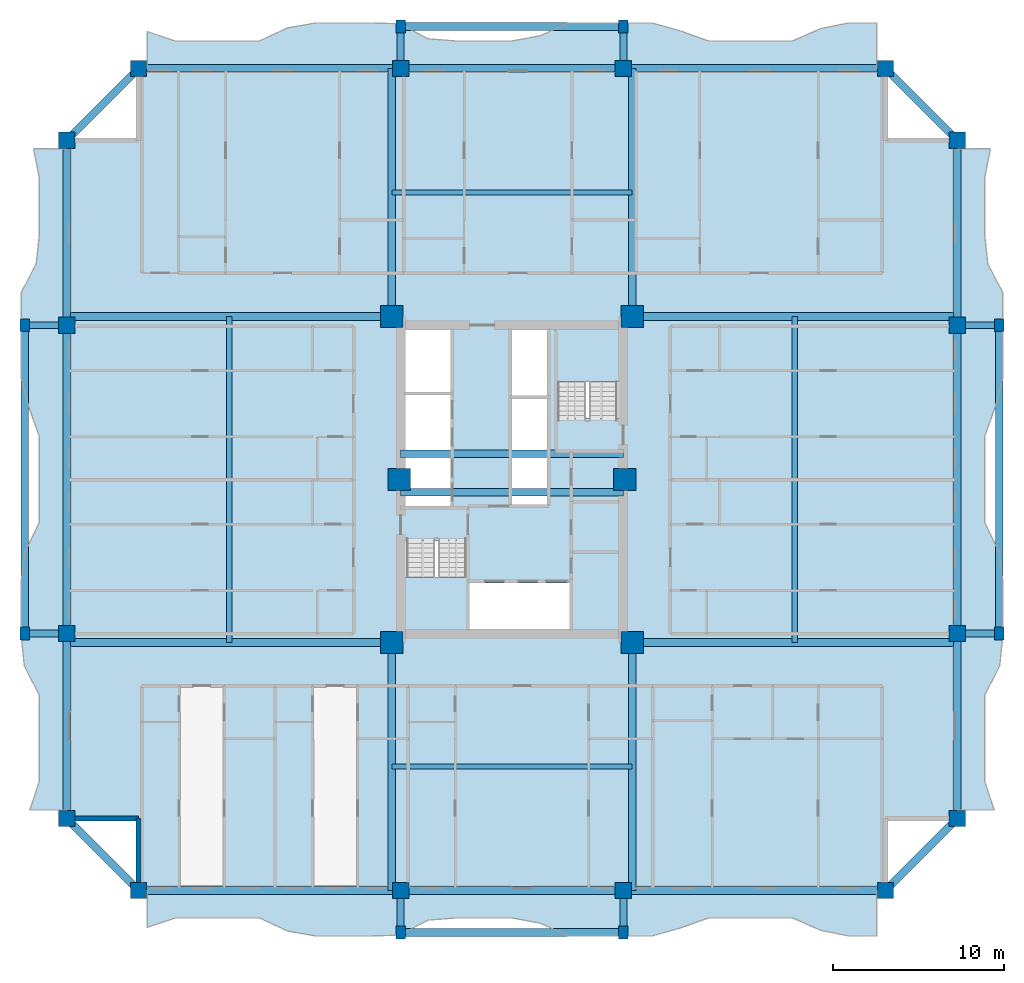
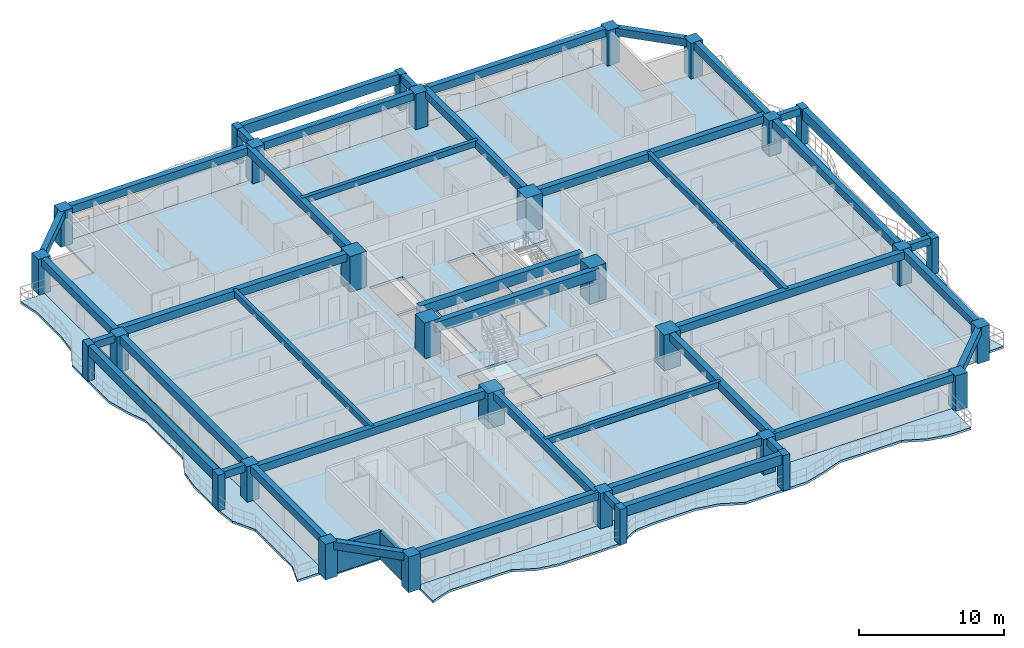
# One storey, part 1 of 15: 42 beams, 30 columns, 7 slabs, 2 walls, 2 elements without a shape of their own.
"""IFC4 building model written with IfcOpenShell, lengths in metres."""

import ifcopenshell
import ifcopenshell.guid

model = None  # the IFC model being written
_history = None  # IfcOwnerHistory: only IFC2X3 demands one
_inside = {}  # id of a spatial element -> (the spatial element, [elements in it])
_under = {}  # id of a project, library or spatial element -> (it, [spatial elements below it])
_declared = {}  # id of a project -> (the project, [libraries it declares])
_typed = {}  # id of a type object -> (the type object, [elements of that type])
_made_of = {}  # id of a material, layer set ... -> (it, [elements and type objects made of it])


def new_model(schema):
    """Start an empty IFC model of exactly this schema.

    Asked for "IFC4X3", IfcOpenShell would pick the latest addendum, in which some entities
    have other attributes; the version numbers below select the first issue.
    IFC2X3 requires an IfcOwnerHistory on every rooted entity: one is made here for all.
    """
    global model, _history
    if schema == "IFC4X3":
        model = ifcopenshell.file(schema_version=(4, 3, 0, 0))
    else:
        model = ifcopenshell.file(schema=schema)
    _inside.clear()
    _under.clear()
    _declared.clear()
    _typed.clear()
    _made_of.clear()
    _history = None
    if model.schema == "IFC2X3":
        org = make("IfcOrganization", Name="unknown")
        user = make(
            "IfcPersonAndOrganization",
            ThePerson=make("IfcPerson", FamilyName="unknown"),
            TheOrganization=org,
        )
        app = make(
            "IfcApplication",
            ApplicationDeveloper=org,
            Version="unknown",
            ApplicationFullName="unknown",
            ApplicationIdentifier="unknown",
        )
        _history = make(
            "IfcOwnerHistory",
            OwningUser=user,
            OwningApplication=app,
            ChangeAction="ADDED",
            CreationDate=0,
        )
    return model


def make(cls, **values):
    """One entity of the class cls with the attributes given. An attribute that is None is left unset."""
    return model.create_entity(
        cls, **{name: value for name, value in values.items() if value is not None}
    )


def rooted(cls, **values):
    """An entity with a GlobalId (a new one), such as an element, a storey or a relation."""
    return make(cls, GlobalId=ifcopenshell.guid.new(), OwnerHistory=_history, **values)


def si_unit(unit_type, name, prefix=None):
    """IfcSIUnit, for example si_unit("LENGTHUNIT", "METRE", prefix="MILLI")."""
    return make("IfcSIUnit", UnitType=unit_type, Prefix=prefix, Name=name)


def assignment(units):
    """IfcUnitAssignment: the units of a project."""
    return None if units is None else make("IfcUnitAssignment", Units=units)


def point(xyz):
    """IfcCartesianPoint."""
    return None if xyz is None else make("IfcCartesianPoint", Coordinates=xyz)


def direction(xyz):
    """IfcDirection."""
    return None if xyz is None else make("IfcDirection", DirectionRatios=xyz)


def frame(location, z_axis=None, x_axis=None):
    """IfcAxis2Placement3D, a coordinate frame: its origin and axes. An axis left out is left unset."""
    return make(
        "IfcAxis2Placement3D",
        Location=point(location),
        Axis=direction(z_axis),
        RefDirection=direction(x_axis),
    )


def frame_2d(location, x_axis=None):
    """IfcAxis2Placement2D, a coordinate frame in the plane: its origin and x axis."""
    return make(
        "IfcAxis2Placement2D", Location=point(location), RefDirection=direction(x_axis)
    )


def origin():
    """The frame at (0, 0, 0) with its axes left unset."""
    return frame((0.0, 0.0, 0.0))


def origin_2d():
    """The frame at (0, 0) in the plane with its x axis left unset."""
    return frame_2d((0.0, 0.0))


def place(relative_to, where):
    """IfcLocalPlacement: puts the frame where relative to a parent placement (None: the world)."""
    return make(
        "IfcLocalPlacement", PlacementRelTo=relative_to, RelativePlacement=where
    )


def context(
    kind, dimensions, precision=None, world=None, true_north=None, identifier=None
):
    """IfcGeometricRepresentationContext, for example the 3D "Model" context."""
    return make(
        "IfcGeometricRepresentationContext",
        ContextIdentifier=identifier,
        ContextType=kind,
        CoordinateSpaceDimension=dimensions,
        Precision=precision,
        WorldCoordinateSystem=world,
        TrueNorth=true_north,
    )


def subcontext(parent, identifier, kind, view, scale=None):
    """IfcGeometricRepresentationSubContext, for example "Body" below "Model"."""
    return make(
        "IfcGeometricRepresentationSubContext",
        ContextIdentifier=identifier,
        ContextType=kind,
        ParentContext=parent,
        TargetScale=scale,
        TargetView=view,
    )


def project(units=None, contexts=None):
    """IfcProject with its units and contexts."""
    return rooted(
        "IfcProject",
        Name="project",
        RepresentationContexts=contexts,
        UnitsInContext=assignment(units),
    )


def spatial(cls, under=None, at=None, **own):
    """A site, building, storey or space (cls), placed at a placement, below another one or the project."""
    s = rooted(cls, ObjectPlacement=at, **own)
    if under is not None:
        _under.setdefault(under.id(), (under, []))[1].append(s)
    return s


def polyline(points):
    """IfcPolyline through the points."""
    return make("IfcPolyline", Points=[point(p) for p in points])


def profile(cls, at=None, kind="AREA", **sizes):
    """A parametric profile (cls). Its sizes go by their IFC names, for example OverallWidth=200.0."""
    return make(cls, ProfileType=kind, Position=at, **sizes)


def rectangle(**sizes):
    """IfcRectangleProfileDef."""
    return profile("IfcRectangleProfileDef", **sizes)


def outline(outer, holes=None, kind="AREA"):
    """IfcArbitraryClosedProfileDef: a profile drawn as a closed curve; with holes, ...WithVoids."""
    if holes is None:
        return make("IfcArbitraryClosedProfileDef", ProfileType=kind, OuterCurve=outer)
    return make(
        "IfcArbitraryProfileDefWithVoids",
        ProfileType=kind,
        OuterCurve=outer,
        InnerCurves=holes,
    )


def extrude(swept, where, along, depth):
    """IfcExtrudedAreaSolid: the profile swept, set in the frame where, extruded along a direction by depth."""
    return make(
        "IfcExtrudedAreaSolid",
        SweptArea=swept,
        Position=where,
        ExtrudedDirection=direction(along),
        Depth=depth,
    )


def shape(context_of_items, identifier, shape_type, items):
    """IfcShapeRepresentation: the items that make up one representation, for example the "Body"."""
    return make(
        "IfcShapeRepresentation",
        ContextOfItems=context_of_items,
        RepresentationIdentifier=identifier,
        RepresentationType=shape_type,
        Items=items,
    )


def source(mapping_origin, context_of_items, identifier, shape_type, items):
    """IfcRepresentationMap: a shape defined once, which mapped items show again and again."""
    return make(
        "IfcRepresentationMap",
        MappingOrigin=mapping_origin,
        MappedRepresentation=shape(context_of_items, identifier, shape_type, items),
    )


def transform(
    local_origin,
    x_axis=None,
    y_axis=None,
    z_axis=None,
    scale=None,
    scale2=None,
    scale3=None,
    uniform=True,
):
    """IfcCartesianTransformationOperator3D, or its non-uniform kind. x_axis, y_axis, z_axis: its Axis1, 2, 3."""
    if uniform:
        return make(
            "IfcCartesianTransformationOperator3D",
            Axis1=direction(x_axis),
            Axis2=direction(y_axis),
            LocalOrigin=point(local_origin),
            Scale=scale,
            Axis3=direction(z_axis),
        )
    return make(
        "IfcCartesianTransformationOperator3DnonUniform",
        Axis1=direction(x_axis),
        Axis2=direction(y_axis),
        LocalOrigin=point(local_origin),
        Scale=scale,
        Axis3=direction(z_axis),
        Scale2=scale2,
        Scale3=scale3,
    )


def mapped(mapping_source, mapping_target):
    """IfcMappedItem: shows the shape of a source again, moved by a transform."""
    return make(
        "IfcMappedItem", MappingSource=mapping_source, MappingTarget=mapping_target
    )


def material(Name=None, Category=None):
    """IfcMaterial."""
    return make("IfcMaterial", Name=Name, Category=Category)


def layer(
    of_material, thickness, ventilated=None, Name=None, Category=None, Priority=None
):
    """IfcMaterialLayer: one layer of a wall or slab, of a material (None: an air gap)."""
    return make(
        "IfcMaterialLayer",
        Material=of_material,
        LayerThickness=thickness,
        IsVentilated=ventilated,
        Name=Name,
        Category=Category,
        Priority=Priority,
    )


def layer_set(layers, Name=None):
    """IfcMaterialLayerSet."""
    return make("IfcMaterialLayerSet", MaterialLayers=layers, LayerSetName=Name)


def material_profile(
    of_material, cross_section, Name=None, Category=None, Priority=None
):
    """IfcMaterialProfile: a cross section and its material."""
    return make(
        "IfcMaterialProfile",
        Name=Name,
        Material=of_material,
        Profile=cross_section,
        Priority=Priority,
        Category=Category,
    )


def profile_set(profiles, Name=None, composite=None):
    """IfcMaterialProfileSet."""
    return make(
        "IfcMaterialProfileSet",
        Name=Name,
        MaterialProfiles=profiles,
        CompositeProfile=composite,
    )


def made_of(thing, what):
    """Note that an element or type object is made of a material, layer set ...; save() writes the relation."""
    if what is not None:
        _made_of.setdefault(what.id(), (what, []))[1].append(thing)
    return thing


def type_object(cls, material=None, **own):
    """A type object (cls), such as IfcWallType, which elements share."""
    return made_of(rooted(cls, **own), material)


def element(
    cls,
    number,
    at=None,
    inside=None,
    cuts=None,
    type_object=None,
    material=None,
    context=None,
    identifier="Body",
    shape_type=None,
    held_by="IfcProductDefinitionShape",
    body=None,
    shapes=None,
    **own,
):
    """One element of the class cls, such as IfcWall. Its Tag is "e" and its number.

    at: its placement. inside: the storey or other place that contains it. cuts: it is an
    opening in that element (IfcRelVoidsElement). A single representation is given by context,
    identifier, shape_type and body (its items); several are given by shapes. held_by: the class
    of the entity that holds the representations. save() writes the other relations.
    """
    e = rooted(cls, Tag="e%d" % number, ObjectPlacement=at, **own)
    if body is not None:
        shapes = [shape(context, identifier, shape_type, body)]
    if shapes is not None:
        e.Representation = make(held_by, Representations=shapes)
    if inside is not None:
        _inside.setdefault(inside.id(), (inside, []))[1].append(e)
    if cuts is not None:
        rooted(
            "IfcRelVoidsElement", RelatingBuildingElement=cuts, RelatedOpeningElement=e
        )
    if type_object is not None:
        _typed.setdefault(type_object.id(), (type_object, []))[1].append(e)
    return made_of(e, material)


def aggregate(whole, parts):
    """IfcRelAggregates: a whole, such as a stair, and the parts it consists of."""
    return rooted("IfcRelAggregates", RelatingObject=whole, RelatedObjects=parts)


def save(model, path):
    """Write the relations noted so far, then the file.

    IfcRelAggregates (storeys below a building ...), IfcRelContainedInSpatialStructure (elements
    in a storey), IfcRelDefinesByType, IfcRelAssociatesMaterial and IfcRelDeclares: one each for
    every whole, place, type object, material and project.
    """
    for whole, parts in _under.values():
        aggregate(whole, parts)
    for where, things in _inside.values():
        rooted(
            "IfcRelContainedInSpatialStructure",
            RelatedElements=things,
            RelatingStructure=where,
        )
    for kind, things in _typed.values():
        rooted("IfcRelDefinesByType", RelatedObjects=things, RelatingType=kind)
    for what, things in _made_of.values():
        rooted("IfcRelAssociatesMaterial", RelatedObjects=things, RelatingMaterial=what)
    for by, libraries in _declared.values():
        rooted("IfcRelDeclares", RelatingContext=by, RelatedDefinitions=libraries)
    model.write(path)


model = new_model("IFC4")

# Units and contexts
model_context = context("Model", 3, precision=1e-05, world=origin(), true_north=direction((0.0, 1.0)))
body_context = subcontext(model_context, "Body", "Model", "MODEL_VIEW")
ifc_project = project(units=[si_unit("LENGTHUNIT", "METRE"), si_unit("AREAUNIT", "SQUARE_METRE"), si_unit("VOLUMEUNIT", "CUBIC_METRE"), si_unit("PLANEANGLEUNIT", "RADIAN"), si_unit("MASSUNIT", "GRAM", prefix="KILO")], contexts=[model_context])

# Site, building, storey
site_placement = place(None, origin())
site = spatial("IfcSite", under=ifc_project, at=site_placement, CompositionType="ELEMENT")
building_placement = place(site_placement, origin())
building = spatial("IfcBuilding", under=site, at=building_placement, Name="Saelheon Loggia Tower", CompositionType="ELEMENT")
storey_placement = place(building_placement, frame((0.0, 0.0, 77.85009765625)))
storey = spatial("IfcBuildingStorey", under=building, at=storey_placement, Name="L24", CompositionType="ELEMENT", Elevation=77.85009765625)

# Columns
ifc_material_1 = material(Name="Precast Concrete C45/55", Category="concrete")
ifc_material_profile_1 = material_profile(ifc_material_1, rectangle(XDim=0.550048828125, YDim=0.75, at=origin_2d()), Name="RC-550x750")
ifc_profile_set_1 = profile_set([ifc_material_profile_1], Name="Precast Concrete C45/55")
column_type_1 = type_object("IfcColumnType", Name="Col_Loggia_Pilaster_750", PredefinedType="PILASTER", material=ifc_profile_set_1)
shared_shape_1 = source(origin(), body_context, "Body", "SweptSolid", [
    extrude(rectangle(XDim=0.550048828125, YDim=0.75, at=origin_2d()), origin(), (0.0, 0.0, 1.0), 3.0),
])
for number, where, z_axis, x_axis, name in (
    (1, (31.5, 0.550048828125, 0.0), (0.0, 0.0, 1.0), (1.0, 0.0, 0.0), "L24 Loggia Frame Pilaster LP-S1"),
    (2, (44.5, 0.550048828125, 0.0), (0.0, 0.0, 1.0), (1.0, 0.0, 0.0), "L24 Loggia Frame Pilaster LP-S2"),
    (3, (31.5, 53.449951171875, 0.0), (0.0, 0.0, 1.0), (1.0, 0.0, 0.0), "L24 Loggia Frame Pilaster LP-N1"),
    (4, (44.5, 53.449951171875, 0.0), (0.0, 0.0, 1.0), (1.0, 0.0, 0.0), "L24 Loggia Frame Pilaster LP-N2"),
    (5, (66.449951171875, 18.0, 0.0), (0.0, 0.0, 1.0), (1.0, 0.0, 0.0), "L24 Loggia Frame Pilaster LP-E1"),
    (6, (66.449951171875, 36.0, 0.0), (0.0, 0.0, 1.0), (1.0, 0.0, 0.0), "L24 Loggia Frame Pilaster LP-E2"),
    (7, (9.550048828125, 18.0, 0.0), (0.0, 0.0, 1.0), (1.0, 0.0, 0.0), "L24 Loggia Frame Pilaster LP-W1"),
    (8, (9.550048828125, 36.0, 0.0), (0.0, 0.0, 1.0), (1.0, 0.0, 0.0), "L24 Loggia Frame Pilaster LP-W2"),
):
    element("IfcColumn", number, at=place(storey_placement, frame(where, z_axis=z_axis, x_axis=x_axis)), inside=storey, type_object=column_type_1, Name=name, PredefinedType="PILASTER", context=body_context, shape_type="MappedRepresentation", body=[
        mapped(shared_shape_1, transform((0.0, 0.0, 0.0), scale=1.0)),
    ])
ifc_material_2 = material(Name="Concrete C60/75", Category="concrete")
ifc_material_profile_2 = material_profile(ifc_material_2, rectangle(XDim=1.300048828125, YDim=1.300048828125, at=origin_2d()), Name="RC-1300x1300")
ifc_profile_set_2 = profile_set([ifc_material_profile_2], Name="Concrete C60/75")
column_type_2 = type_object("IfcColumnType", Name="Col_Core_RC1300", PredefinedType="COLUMN", material=ifc_profile_set_2)
shared_shape_2 = source(origin(), body_context, "Body", "SweptSolid", [
    extrude(rectangle(XDim=1.300048828125, YDim=1.300048828125, at=origin_2d()), origin(), (0.0, 0.0, 1.0), 3.0),
])
for number, where, z_axis, x_axis, name in (
    (9, (30.97998046875, 17.47998046875, 0.0), (0.0, 0.0, 1.0), (1.0, 0.0, 0.0), "L24 Core Column CR-SW"),
    (10, (45.02001953125, 17.47998046875, 0.0), (0.0, 0.0, 1.0), (1.0, 0.0, 0.0), "L24 Core Column CR-SE"),
    (11, (30.97998046875, 36.52001953125, 0.0), (0.0, 0.0, 1.0), (1.0, 0.0, 0.0), "L24 Core Column CR-NW"),
    (12, (45.02001953125, 36.52001953125, 0.0), (0.0, 0.0, 1.0), (1.0, 0.0, 0.0), "L24 Core Column CR-NE"),
    (13, (31.419921875, 27.0, 0.0), (0.0, 0.0, 1.0), (1.0, 0.0, 0.0), "L24 Core Column CR-MW"),
    (14, (44.580078125, 27.0, 0.0), (0.0, 0.0, 1.0), (1.0, 0.0, 0.0), "L24 Core Column CR-ME"),
):
    element("IfcColumn", number, at=place(storey_placement, frame(where, z_axis=z_axis, x_axis=x_axis)), inside=storey, type_object=column_type_2, Name=name, PredefinedType="COLUMN", context=body_context, shape_type="MappedRepresentation", body=[
        mapped(shared_shape_2, transform((0.0, 0.0, 0.0), scale=1.0)),
    ])
ifc_material_3 = material(Name="Concrete C50/60", Category="concrete")
ifc_material_profile_3 = material_profile(ifc_material_3, rectangle(XDim=0.949951171875, YDim=0.949951171875, at=origin_2d()), Name="RC-950x950")
ifc_profile_set_3 = profile_set([ifc_material_profile_3], Name="Concrete C50/60")
column_type_3 = type_object("IfcColumnType", Name="Col_Perim_RC950", PredefinedType="COLUMN", material=ifc_profile_set_3)
shared_shape_3 = source(origin(), body_context, "Body", "SweptSolid", [
    extrude(rectangle(XDim=0.949951171875, YDim=0.949951171875, at=origin_2d()), origin(), (0.0, 0.0, 1.0), 3.0),
])
for number, where, z_axis, x_axis, name in (
    (15, (16.199951171875, 3.0, 0.0), (0.0, 0.0, 1.0), (1.0, 0.0, 0.0), "L24 Perimeter Column TP-S1"),
    (16, (31.5, 3.0, 0.0), (0.0, 0.0, 1.0), (1.0, 0.0, 0.0), "L24 Perimeter Column TP-SA"),
    (17, (44.5, 3.0, 0.0), (0.0, 0.0, 1.0), (1.0, 0.0, 0.0), "L24 Perimeter Column TP-SB"),
    (18, (59.800048828125, 3.0, 0.0), (0.0, 0.0, 1.0), (1.0, 0.0, 0.0), "L24 Perimeter Column TP-S2"),
    (19, (64.0, 7.199951171875, 0.0), (0.0, 0.0, 1.0), (1.0, 0.0, 0.0), "L24 Perimeter Column TP-E1"),
    (20, (64.0, 18.0, 0.0), (0.0, 0.0, 1.0), (1.0, 0.0, 0.0), "L24 Perimeter Column TP-EA"),
    (21, (64.0, 36.0, 0.0), (0.0, 0.0, 1.0), (1.0, 0.0, 0.0), "L24 Perimeter Column TP-EB"),
    (22, (64.0, 46.800048828125, 0.0), (0.0, 0.0, 1.0), (1.0, 0.0, 0.0), "L24 Perimeter Column TP-E2"),
    (23, (59.800048828125, 51.0, 0.0), (0.0, 0.0, 1.0), (1.0, 0.0, 0.0), "L24 Perimeter Column TP-N2"),
    (24, (44.5, 51.0, 0.0), (0.0, 0.0, 1.0), (1.0, 0.0, 0.0), "L24 Perimeter Column TP-NB"),
    (25, (31.5, 51.0, 0.0), (0.0, 0.0, 1.0), (1.0, 0.0, 0.0), "L24 Perimeter Column TP-NA"),
    (26, (16.199951171875, 51.0, 0.0), (0.0, 0.0, 1.0), (1.0, 0.0, 0.0), "L24 Perimeter Column TP-N1"),
    (27, (12.0, 46.800048828125, 0.0), (0.0, 0.0, 1.0), (1.0, 0.0, 0.0), "L24 Perimeter Column TP-W2"),
    (28, (12.0, 36.0, 0.0), (0.0, 0.0, 1.0), (1.0, 0.0, 0.0), "L24 Perimeter Column TP-WB"),
    (29, (12.0, 18.0, 0.0), (0.0, 0.0, 1.0), (1.0, 0.0, 0.0), "L24 Perimeter Column TP-WA"),
    (30, (12.0, 7.199951171875, 0.0), (0.0, 0.0, 1.0), (1.0, 0.0, 0.0), "L24 Perimeter Column TP-W1"),
):
    element("IfcColumn", number, at=place(storey_placement, frame(where, z_axis=z_axis, x_axis=x_axis)), inside=storey, type_object=column_type_3, Name=name, PredefinedType="COLUMN", context=body_context, shape_type="MappedRepresentation", body=[
        mapped(shared_shape_3, transform((0.0, 0.0, 0.0), scale=1.0)),
    ])

# Beams
ifc_material_profile_4 = material_profile(ifc_material_3, rectangle(XDim=0.449951171875, YDim=0.85009765625, at=origin_2d()), Name="RC-450x850")
ifc_profile_set_4 = profile_set([ifc_material_profile_4], Name="Concrete C50/60")
beam_type_1 = type_object("IfcBeamType", Name="Beam_CoreLintel_RC450x850", PredefinedType="LINTEL", material=ifc_profile_set_4)
shared_shape_4 = source(origin(), body_context, "Body", "SweptSolid", [
    extrude(rectangle(XDim=0.449951171875, YDim=0.85009765625, at=origin_2d()), origin(), (0.0, 0.0, 1.0), 13.0),
])
for number, where, z_axis, x_axis, name in (
    (31, (31.5, 26.25, 2.574951171875), (1.0, 0.0, 0.0), (0.0, 1.0, 0.0), "L24 Core Coupling Lintel 1"),
    (32, (31.5, 28.5, 2.574951171875), (1.0, 0.0, 0.0), (0.0, 1.0, 0.0), "L24 Core Coupling Lintel 2"),
):
    element("IfcBeam", number, at=place(storey_placement, frame(where, z_axis=z_axis, x_axis=x_axis)), inside=storey, type_object=beam_type_1, Name=name, PredefinedType="LINTEL", context=body_context, shape_type="MappedRepresentation", body=[
        mapped(shared_shape_4, transform((0.0, 0.0, 0.0), scale=1.0)),
    ])
ifc_material_profile_5 = material_profile(ifc_material_1, rectangle(XDim=0.449951171875, YDim=0.85009765625, at=origin_2d()), Name="RC-450x850")
ifc_profile_set_5 = profile_set([ifc_material_profile_5], Name="Precast Concrete C45/55")
beam_type_2 = type_object("IfcBeamType", Name="Beam_LoggiaSpandrel_RC450x850", PredefinedType="SPANDREL", material=ifc_profile_set_5)
for number, where, z_axis, x_axis, name in (
    (33, (31.5, 0.550048828125, 2.574951171875), (1.0, 0.0, 0.0), (0.0, 1.0, 0.0), "L24 Loggia Spandrel Beam S"),
    (34, (31.5, 53.449951171875, 2.574951171875), (1.0, 0.0, 0.0), (0.0, 1.0, 0.0), "L24 Loggia Spandrel Beam N"),
):
    element("IfcBeam", number, at=place(storey_placement, frame(where, z_axis=z_axis, x_axis=x_axis)), inside=storey, type_object=beam_type_2, Name=name, PredefinedType="SPANDREL", context=body_context, shape_type="MappedRepresentation", body=[
        mapped(shared_shape_4, transform((0.0, 0.0, 0.0), scale=1.0)),
    ])
ifc_material_profile_6 = material_profile(ifc_material_1, rectangle(XDim=0.39990234375, YDim=0.60009765625, at=origin_2d()), Name="RC-400x600")
ifc_profile_set_6 = profile_set([ifc_material_profile_6], Name="Precast Concrete C45/55")
beam_type_3 = type_object("IfcBeamType", Name="Beam_LoggiaTie_RC400x600", PredefinedType="BEAM", material=ifc_profile_set_6)
shared_shape_5 = source(origin(), body_context, "Body", "SweptSolid", [
    extrude(rectangle(XDim=0.39990234375, YDim=0.60009765625, at=origin_2d()), origin(), (0.0, 0.0, 1.0), 2.449951171875),
])
for number, where, z_axis, x_axis, name in (
    (35, (31.5, 3.0, 2.699951171875), (0.0, -1.0, 0.0), (1.0, 0.0, 0.0), "L24 Loggia Frame Tie Beam LP-S1"),
    (36, (44.5, 3.0, 2.699951171875), (0.0, -1.0, 0.0), (1.0, 0.0, 0.0), "L24 Loggia Frame Tie Beam LP-S2"),
    (37, (31.5, 51.0, 2.699951171875), (0.0, 1.0, 0.0), (-1.0, 0.0, 0.0), "L24 Loggia Frame Tie Beam LP-N1"),
    (38, (44.5, 51.0, 2.699951171875), (0.0, 1.0, 0.0), (-1.0, 0.0, 0.0), "L24 Loggia Frame Tie Beam LP-N2"),
    (39, (64.0, 18.0, 2.699951171875), (1.0, 0.0, 0.0), (0.0, 1.0, 0.0), "L24 Loggia Frame Tie Beam LP-E1"),
    (40, (64.0, 36.0, 2.699951171875), (1.0, 0.0, 0.0), (0.0, 1.0, 0.0), "L24 Loggia Frame Tie Beam LP-E2"),
    (41, (12.0, 18.0, 2.699951171875), (-1.0, 0.0, 0.0), (0.0, -1.0, 0.0), "L24 Loggia Frame Tie Beam LP-W1"),
    (42, (12.0, 36.0, 2.699951171875), (-1.0, 0.0, 0.0), (0.0, -1.0, 0.0), "L24 Loggia Frame Tie Beam LP-W2"),
):
    element("IfcBeam", number, at=place(storey_placement, frame(where, z_axis=z_axis, x_axis=x_axis)), inside=storey, type_object=beam_type_3, Name=name, PredefinedType="BEAM", context=body_context, shape_type="MappedRepresentation", body=[
        mapped(shared_shape_5, transform((0.0, 0.0, 0.0), scale=1.0)),
    ])
shared_shape_6 = source(origin(), body_context, "Body", "SweptSolid", [
    extrude(rectangle(XDim=0.449951171875, YDim=0.85009765625, at=origin_2d()), origin(), (0.0, 0.0, 1.0), 18.0),
])
for number, where, z_axis, x_axis, name in (
    (43, (66.449951171875, 18.0, 2.574951171875), (0.0, 1.0, 0.0), (-1.0, 0.0, 0.0), "L24 Loggia Spandrel Beam E"),
    (44, (9.550048828125, 18.0, 2.574951171875), (0.0, 1.0, 0.0), (-1.0, 0.0, 0.0), "L24 Loggia Spandrel Beam W"),
):
    element("IfcBeam", number, at=place(storey_placement, frame(where, z_axis=z_axis, x_axis=x_axis)), inside=storey, type_object=beam_type_2, Name=name, PredefinedType="SPANDREL", context=body_context, shape_type="MappedRepresentation", body=[
        mapped(shared_shape_6, transform((0.0, 0.0, 0.0), scale=1.0)),
    ])
ifc_material_4 = material(Name="Concrete C40/50", Category="concrete")
ifc_material_profile_7 = material_profile(ifc_material_4, rectangle(XDim=0.449951171875, YDim=0.64990234375, at=origin_2d()), Name="RC-450x650")
ifc_profile_set_7 = profile_set([ifc_material_profile_7], Name="Concrete C40/50")
beam_type_4 = type_object("IfcBeamType", Name="Beam_PerimTower_RC450x650", PredefinedType="BEAM", material=ifc_profile_set_7)
shared_shape_7 = source(origin(), body_context, "Body", "SweptSolid", [
    extrude(rectangle(XDim=0.449951171875, YDim=0.64990234375, at=origin_2d()), origin(), (0.0, 0.0, 1.0), 15.300048828125),
])
for number, where, z_axis, x_axis, name in (
    (45, (16.199951171875, 3.0, 2.6748046875), (1.0, 0.0, 0.0), (0.0, 1.0, 0.0), "L24 Perimeter Frame Girder 01"),
    (46, (44.5, 3.0, 2.6748046875), (1.0, 0.0, 0.0), (0.0, 1.0, 0.0), "L24 Perimeter Frame Girder 03"),
    (47, (59.800048828125, 51.0, 2.6748046875), (-1.0, 0.0, 0.0), (0.0, -1.0, 0.0), "L24 Perimeter Frame Girder 09"),
    (48, (31.5, 51.0, 2.6748046875), (-1.0, 0.0, 0.0), (0.0, -1.0, 0.0), "L24 Perimeter Frame Girder 11"),
):
    element("IfcBeam", number, at=place(storey_placement, frame(where, z_axis=z_axis, x_axis=x_axis)), inside=storey, type_object=beam_type_4, Name=name, PredefinedType="BEAM", context=body_context, shape_type="MappedRepresentation", body=[
        mapped(shared_shape_7, transform((0.0, 0.0, 0.0), scale=1.0)),
    ])
shared_shape_8 = source(origin(), body_context, "Body", "SweptSolid", [
    extrude(rectangle(XDim=0.449951171875, YDim=0.64990234375, at=origin_2d()), origin(), (0.0, 0.0, 1.0), 13.0),
])
for number, where, z_axis, x_axis, name in (
    (49, (31.5, 3.0, 2.6748046875), (1.0, 0.0, 0.0), (0.0, 1.0, 0.0), "L24 Perimeter Frame Girder 02"),
    (50, (44.5, 51.0, 2.6748046875), (-1.0, 0.0, 0.0), (0.0, -1.0, 0.0), "L24 Perimeter Frame Girder 10"),
):
    element("IfcBeam", number, at=place(storey_placement, frame(where, z_axis=z_axis, x_axis=x_axis)), inside=storey, type_object=beam_type_4, Name=name, PredefinedType="BEAM", context=body_context, shape_type="MappedRepresentation", body=[
        mapped(shared_shape_8, transform((0.0, 0.0, 0.0), scale=1.0)),
    ])
shared_shape_9 = source(origin(), body_context, "Body", "SweptSolid", [
    extrude(rectangle(XDim=0.449951171875, YDim=0.64990234375, at=origin_2d()), origin(), (0.0, 0.0, 1.0), 5.939697265625),
])
for number, where, z_axis, x_axis, name in (
    (51, (59.800048828125, 3.0, 2.6748046875), (0.707106781187, 0.707106781187, 0.0), (-0.707106781187, 0.707106781187, 0.0), "L24 Perimeter Frame Girder 04"),
    (52, (64.0, 46.800048828125, 2.6748046875), (-0.707106781187, 0.707106781187, 0.0), (-0.707106781187, -0.707106781187, 0.0), "L24 Perimeter Frame Girder 08"),
    (53, (16.199951171875, 51.0, 2.6748046875), (-0.707106781187, -0.707106781187, 0.0), (0.707106781187, -0.707106781187, 0.0), "L24 Perimeter Frame Girder 12"),
    (54, (12.0, 7.199951171875, 2.6748046875), (0.707106781187, -0.707106781187, 0.0), (0.707106781187, 0.707106781187, 0.0), "L24 Perimeter Frame Girder 16"),
):
    element("IfcBeam", number, at=place(storey_placement, frame(where, z_axis=z_axis, x_axis=x_axis)), inside=storey, type_object=beam_type_4, Name=name, PredefinedType="BEAM", context=body_context, shape_type="MappedRepresentation", body=[
        mapped(shared_shape_9, transform((0.0, 0.0, 0.0), scale=1.0)),
    ])
shared_shape_10 = source(origin(), body_context, "Body", "SweptSolid", [
    extrude(rectangle(XDim=0.449951171875, YDim=0.64990234375, at=origin_2d()), origin(), (0.0, 0.0, 1.0), 10.800048828125),
])
for number, where, z_axis, x_axis, name in (
    (55, (64.0, 7.199951171875, 2.6748046875), (0.0, 1.0, 0.0), (-1.0, 0.0, 0.0), "L24 Perimeter Frame Girder 05"),
    (56, (64.0, 36.0, 2.6748046875), (0.0, 1.0, 0.0), (-1.0, 0.0, 0.0), "L24 Perimeter Frame Girder 07"),
    (57, (12.0, 46.800048828125, 2.6748046875), (0.0, -1.0, 0.0), (1.0, 0.0, 0.0), "L24 Perimeter Frame Girder 13"),
    (58, (12.0, 18.0, 2.6748046875), (0.0, -1.0, 0.0), (1.0, 0.0, 0.0), "L24 Perimeter Frame Girder 15"),
):
    element("IfcBeam", number, at=place(storey_placement, frame(where, z_axis=z_axis, x_axis=x_axis)), inside=storey, type_object=beam_type_4, Name=name, PredefinedType="BEAM", context=body_context, shape_type="MappedRepresentation", body=[
        mapped(shared_shape_10, transform((0.0, 0.0, 0.0), scale=1.0)),
    ])
shared_shape_11 = source(origin(), body_context, "Body", "SweptSolid", [
    extrude(rectangle(XDim=0.449951171875, YDim=0.64990234375, at=origin_2d()), origin(), (0.0, 0.0, 1.0), 18.0),
])
for number, where, z_axis, x_axis, name in (
    (59, (64.0, 18.0, 2.6748046875), (0.0, 1.0, 0.0), (-1.0, 0.0, 0.0), "L24 Perimeter Frame Girder 06"),
    (60, (12.0, 36.0, 2.6748046875), (0.0, -1.0, 0.0), (1.0, 0.0, 0.0), "L24 Perimeter Frame Girder 14"),
):
    element("IfcBeam", number, at=place(storey_placement, frame(where, z_axis=z_axis, x_axis=x_axis)), inside=storey, type_object=beam_type_4, Name=name, PredefinedType="BEAM", context=body_context, shape_type="MappedRepresentation", body=[
        mapped(shared_shape_11, transform((0.0, 0.0, 0.0), scale=1.0)),
    ])
ifc_material_profile_8 = material_profile(ifc_material_4, rectangle(XDim=0.449951171875, YDim=0.64990234375, at=origin_2d()), Name="RC-450x650")
ifc_profile_set_8 = profile_set([ifc_material_profile_8], Name="Concrete C40/50")
beam_type_5 = type_object("IfcBeamType", Name="Beam_TowerGirder_RC450x650", PredefinedType="BEAM", material=ifc_profile_set_8)
shared_shape_12 = source(origin(), body_context, "Body", "SweptSolid", [
    extrude(rectangle(XDim=0.449951171875, YDim=0.64990234375, at=origin_2d()), origin(), (0.0, 0.0, 1.0), 14.47998046875),
])
for number, where, z_axis, x_axis, name in (
    (61, (30.97998046875, 17.47998046875, 2.6748046875), (0.0, -1.0, 0.0), (1.0, 0.0, 0.0), "L24 Radial Floor Girder RAD-SW-S"),
    (62, (45.02001953125, 17.47998046875, 2.6748046875), (0.0, -1.0, 0.0), (1.0, 0.0, 0.0), "L24 Radial Floor Girder RAD-SE-S"),
    (63, (30.97998046875, 36.52001953125, 2.6748046875), (0.0, 1.0, 0.0), (-1.0, 0.0, 0.0), "L24 Radial Floor Girder RAD-NW-N"),
    (64, (45.02001953125, 36.52001953125, 2.6748046875), (0.0, 1.0, 0.0), (-1.0, 0.0, 0.0), "L24 Radial Floor Girder RAD-NE-N"),
):
    element("IfcBeam", number, at=place(storey_placement, frame(where, z_axis=z_axis, x_axis=x_axis)), inside=storey, type_object=beam_type_5, Name=name, PredefinedType="BEAM", context=body_context, shape_type="MappedRepresentation", body=[
        mapped(shared_shape_12, transform((0.0, 0.0, 0.0), scale=1.0)),
    ])
shared_shape_13 = source(origin(), body_context, "Body", "SweptSolid", [
    extrude(rectangle(XDim=0.449951171875, YDim=0.64990234375, at=origin_2d()), origin(), (0.0, 0.0, 1.0), 18.97998046875),
])
for number, where, z_axis, x_axis, name in (
    (65, (30.97998046875, 17.47998046875, 2.6748046875), (-1.0, 0.0, 0.0), (0.0, -1.0, 0.0), "L24 Radial Floor Girder RAD-SW-W"),
    (66, (30.97998046875, 36.52001953125, 2.6748046875), (-1.0, 0.0, 0.0), (0.0, -1.0, 0.0), "L24 Radial Floor Girder RAD-NW-W"),
    (67, (45.02001953125, 17.47998046875, 2.6748046875), (1.0, 0.0, 0.0), (0.0, 1.0, 0.0), "L24 Radial Floor Girder RAD-SE-E"),
    (68, (45.02001953125, 36.52001953125, 2.6748046875), (1.0, 0.0, 0.0), (0.0, 1.0, 0.0), "L24 Radial Floor Girder RAD-NE-E"),
):
    element("IfcBeam", number, at=place(storey_placement, frame(where, z_axis=z_axis, x_axis=x_axis)), inside=storey, type_object=beam_type_5, Name=name, PredefinedType="BEAM", context=body_context, shape_type="MappedRepresentation", body=[
        mapped(shared_shape_13, transform((0.0, 0.0, 0.0), scale=1.0)),
    ])
ifc_material_profile_9 = material_profile(ifc_material_4, rectangle(XDim=0.300048828125, YDim=0.5, at=origin_2d()), Name="RC-300x500")
ifc_profile_set_9 = profile_set([ifc_material_profile_9], Name="Concrete C40/50")
beam_type_6 = type_object("IfcBeamType", Name="Beam_Joist_RC300x500", PredefinedType="JOIST", material=ifc_profile_set_9)
shared_shape_14 = source(origin(), body_context, "Body", "SweptSolid", [
    extrude(rectangle(XDim=0.300048828125, YDim=0.5, at=origin_2d()), origin(), (0.0, 0.0, 1.0), 14.0400390625),
])
for number, where, z_axis, x_axis, name in (
    (69, (30.97998046875, 10.239990234375, 2.75), (1.0, 0.0, 0.0), (0.0, 1.0, 0.0), "L24 South Floor Joist"),
    (70, (30.97998046875, 43.760009765625, 2.75), (1.0, 0.0, 0.0), (0.0, 1.0, 0.0), "L24 North Floor Joist"),
):
    element("IfcBeam", number, at=place(storey_placement, frame(where, z_axis=z_axis, x_axis=x_axis)), inside=storey, type_object=beam_type_6, Name=name, PredefinedType="JOIST", context=body_context, shape_type="MappedRepresentation", body=[
        mapped(shared_shape_14, transform((0.0, 0.0, 0.0), scale=1.0)),
    ])
shared_shape_15 = source(origin(), body_context, "Body", "SweptSolid", [
    extrude(rectangle(XDim=0.300048828125, YDim=0.5, at=origin_2d()), origin(), (0.0, 0.0, 1.0), 19.0400390625),
])
for number, where, z_axis, x_axis, name in (
    (71, (21.489990234375, 17.47998046875, 2.75), (0.0, 1.0, 0.0), (-1.0, 0.0, 0.0), "L24 West Floor Joist"),
    (72, (54.510009765625, 17.47998046875, 2.75), (0.0, 1.0, 0.0), (-1.0, 0.0, 0.0), "L24 East Floor Joist"),
):
    element("IfcBeam", number, at=place(storey_placement, frame(where, z_axis=z_axis, x_axis=x_axis)), inside=storey, type_object=beam_type_6, Name=name, PredefinedType="JOIST", context=body_context, shape_type="MappedRepresentation", body=[
        mapped(shared_shape_15, transform((0.0, 0.0, 0.0), scale=1.0)),
    ])

# Slabs
ifc_layer_1 = layer(ifc_material_1, 0.18994140625)
ifc_layer_set_1 = layer_set([ifc_layer_1], Name="Precast Concrete C45/55")
slab_type_1 = type_object("IfcSlabType", Name="Slab_Loggia_Ext_190", PredefinedType="FLOOR", material=ifc_layer_set_1)
slab_1_placement = place(storey_placement, frame((0.0, 0.0, -0.190185546875)))
element("IfcSlab", 73, at=slab_1_placement, inside=storey, type_object=slab_type_1, Name="L24 Loggia Balcony Slab S", PredefinedType="FLOOR", context=body_context, shape_type="SweptSolid", body=[
    extrude(outline(polyline([(16.699951171875, 0.85009765625), (18.33837890625, 1.39990234375), (19.976806640625, 1.39990234375), (21.615478515625, 1.39990234375), (23.25390625, 1.39990234375), (24.892333984375, 0.6376953125), (26.53076171875, 0.35009765625), (28.169189453125, 0.35009765625), (29.8076171875, 0.35009765625), (31.4462890625, 0.394775390625), (33.084716796875, 1.26953125), (34.72314453125, 1.39990234375), (36.361572265625, 1.39990234375), (38.0, 1.39990234375), (39.638427734375, 1.099609375), (41.27685546875, 0.35009765625), (42.915283203125, 0.35009765625), (44.5537109375, 0.35009765625), (46.1923828125, 0.35009765625), (47.830810546875, 0.8125), (49.46923828125, 1.39990234375), (51.107666015625, 1.39990234375), (52.74609375, 1.39990234375), (54.384521484375, 1.39990234375), (56.023193359375, 0.6748046875), (57.66162109375, 0.35009765625), (59.300048828125, 0.35009765625), (59.300048828125, 3.0), (16.699951171875, 3.0), (16.699951171875, 0.85009765625)])), origin(), (0.0, 0.0, 1.0), 0.190185546875),
])
slab_2_placement = place(storey_placement, frame((0.0, 0.0, -0.190185546875)))
element("IfcSlab", 74, at=slab_2_placement, inside=storey, type_object=slab_type_1, Name="L24 Loggia Balcony Slab N", PredefinedType="FLOOR", context=body_context, shape_type="SweptSolid", body=[
    extrude(outline(polyline([(16.699951171875, 51.0), (59.300048828125, 51.0), (59.300048828125, 53.64990234375), (57.66162109375, 53.64990234375), (56.023193359375, 53.3251953125), (54.384521484375, 52.60009765625), (52.74609375, 52.60009765625), (51.107666015625, 52.60009765625), (49.46923828125, 52.60009765625), (47.830810546875, 53.1875), (46.1923828125, 53.64990234375), (44.5537109375, 53.64990234375), (42.915283203125, 53.64990234375), (41.27685546875, 53.64990234375), (39.638427734375, 52.900390625), (38.0, 52.60009765625), (36.361572265625, 52.60009765625), (34.72314453125, 52.60009765625), (33.084716796875, 52.73046875), (31.4462890625, 53.605224609375), (29.8076171875, 53.64990234375), (28.169189453125, 53.64990234375), (26.53076171875, 53.64990234375), (24.892333984375, 53.3623046875), (23.25390625, 52.60009765625), (21.615478515625, 52.60009765625), (19.976806640625, 52.60009765625), (18.33837890625, 52.60009765625), (16.699951171875, 53.14990234375), (16.699951171875, 51.0)])), origin(), (0.0, 0.0, 1.0), 0.190185546875),
])
slab_3_placement = place(storey_placement, frame((0.0, 0.0, -0.190185546875)))
element("IfcSlab", 75, at=slab_3_placement, inside=storey, type_object=slab_type_1, Name="L24 Loggia Balcony Slab E", PredefinedType="FLOOR", context=body_context, shape_type="SweptSolid", body=[
    extrude(outline(polyline([(64.0, 7.699951171875), (66.14990234375, 7.699951171875), (65.60009765625, 9.37841796875), (65.60009765625, 11.056396484375), (65.60009765625, 12.73486328125), (65.60009765625, 14.4130859375), (66.468505859375, 16.09130859375), (66.64990234375, 17.76953125), (66.64990234375, 19.44775390625), (66.64990234375, 21.126220703125), (66.417724609375, 22.80419921875), (65.60009765625, 24.482666015625), (65.60009765625, 26.160888671875), (65.60009765625, 27.839111328125), (65.60009765625, 29.517333984375), (66.201904296875, 31.19580078125), (66.64990234375, 32.873779296875), (66.64990234375, 34.55224609375), (66.64990234375, 36.23046875), (66.64990234375, 37.90869140625), (65.78125, 39.5869140625), (65.60009765625, 41.26513671875), (65.60009765625, 42.943603515625), (65.60009765625, 44.62158203125), (65.933349609375, 46.300048828125), (64.0, 46.300048828125), (64.0, 7.699951171875)])), origin(), (0.0, 0.0, 1.0), 0.190185546875),
])
slab_4_placement = place(storey_placement, frame((0.0, 0.0, -0.190185546875)))
element("IfcSlab", 76, at=slab_4_placement, inside=storey, type_object=slab_type_1, Name="L24 Loggia Balcony Slab W", PredefinedType="FLOOR", context=body_context, shape_type="SweptSolid", body=[
    extrude(outline(polyline([(12.0, 7.699951171875), (12.0, 46.300048828125), (10.066650390625, 46.300048828125), (10.39990234375, 44.62158203125), (10.39990234375, 42.943603515625), (10.39990234375, 41.26513671875), (10.21875, 39.5869140625), (9.35009765625, 37.90869140625), (9.35009765625, 36.23046875), (9.35009765625, 34.55224609375), (9.35009765625, 32.873779296875), (9.798095703125, 31.19580078125), (10.39990234375, 29.517333984375), (10.39990234375, 27.839111328125), (10.39990234375, 26.160888671875), (10.39990234375, 24.482666015625), (9.582275390625, 22.80419921875), (9.35009765625, 21.126220703125), (9.35009765625, 19.44775390625), (9.35009765625, 17.76953125), (9.531494140625, 16.09130859375), (10.39990234375, 14.4130859375), (10.39990234375, 12.73486328125), (10.39990234375, 11.056396484375), (10.39990234375, 9.37841796875), (9.85009765625, 7.699951171875), (12.0, 7.699951171875)])), origin(), (0.0, 0.0, 1.0), 0.190185546875),
])

# Stair, slab
stair_type = type_object("IfcStairType", Name="Stair_Escape_Core", PredefinedType="HALF_TURN_STAIR", material=ifc_material_4)
stair_1_placement = place(storey_placement, origin())
stair_1 = element("IfcStair", 77, at=stair_1_placement, inside=storey, type_object=stair_type, Name="L24 Special Escape Stair ST1", PredefinedType="HALF_TURN_STAIR")
ifc_layer_2 = layer(ifc_material_4, 0.199951171875)
ifc_layer_set_2 = layer_set([ifc_layer_2], Name="Concrete C40/50")
slab_type_2 = type_object("IfcSlabType", Name="Slab_StairLanding_ST1", PredefinedType="LANDING", material=ifc_layer_set_2)
slab_5_placement = place(storey_placement, frame((0.0, 0.0, 1.2998046875)))
slab_5 = element("IfcSlab", 78, at=slab_5_placement, type_object=slab_type_2, Name="ST1 landing 1", PredefinedType="LANDING", context=body_context, shape_type="SweptSolid", body=[
    extrude(outline(polyline([(31.7099609375, 21.31005859375), (31.7099609375, 18.2099609375), (35.469970703125, 18.2099609375), (35.469970703125, 21.31005859375), (31.7099609375, 21.31005859375)])), origin(), (0.0, 0.0, 1.0), 0.2001953125),
])
aggregate(stair_1, [slab_5])

stair_2_placement = place(storey_placement, origin())
stair_2 = element("IfcStair", 79, at=stair_2_placement, inside=storey, type_object=stair_type, Name="L24 Special Escape Stair ST2", PredefinedType="HALF_TURN_STAIR")
ifc_layer_3 = layer(ifc_material_4, 0.199951171875)
ifc_layer_set_3 = layer_set([ifc_layer_3], Name="Concrete C40/50")
slab_type_3 = type_object("IfcSlabType", Name="Slab_StairLanding_ST2", PredefinedType="LANDING", material=ifc_layer_set_3)
slab_6_placement = place(storey_placement, frame((0.0, 0.0, 1.2998046875)))
slab_6 = element("IfcSlab", 80, at=slab_6_placement, type_object=slab_type_3, Name="ST2 landing 1", PredefinedType="LANDING", context=body_context, shape_type="SweptSolid", body=[
    extrude(outline(polyline([(44.2900390625, 32.68994140625), (44.2900390625, 35.7900390625), (40.530029296875, 35.7900390625), (40.530029296875, 32.68994140625), (44.2900390625, 32.68994140625)])), origin(), (0.0, 0.0, 1.0), 0.2001953125),
])
aggregate(stair_2, [slab_6])

# Slab
ifc_layer_4 = layer(ifc_material_4, 0.2099609375)
ifc_layer_set_4 = layer_set([ifc_layer_4], Name="Concrete C40/50")
slab_type_4 = type_object("IfcSlabType", Name="Slab_Tower_210", PredefinedType="FLOOR", material=ifc_layer_set_4)
slab_7_placement = place(storey_placement, frame((0.0, 0.0, -0.210205078125)))
element("IfcSlab", 81, at=slab_7_placement, inside=storey, type_object=slab_type_4, Name="L24 Tower Floor Slab", PredefinedType="FLOOR", context=body_context, shape_type="SweptSolid", body=[
    extrude(outline(polyline([(16.199951171875, 3.0), (59.800048828125, 3.0), (59.800048828125, 7.199951171875), (64.0, 7.199951171875), (64.0, 46.800048828125), (59.800048828125, 46.800048828125), (59.800048828125, 51.0), (16.199951171875, 51.0), (16.199951171875, 46.800048828125), (12.0, 46.800048828125), (12.0, 7.199951171875), (16.199951171875, 7.199951171875), (16.199951171875, 3.0)]), holes=[polyline([(31.699951171875, 23.409912109375), (31.699951171875, 18.199951171875), (35.47998046875, 18.199951171875), (35.47998046875, 23.409912109375), (31.699951171875, 23.409912109375)]), polyline([(44.300048828125, 30.590087890625), (44.300048828125, 35.800048828125), (40.52001953125, 35.800048828125), (40.52001953125, 30.590087890625), (44.300048828125, 30.590087890625)]), polyline([(35.530029296875, 18.27490234375), (41.35009765625, 18.27490234375), (41.35009765625, 20.9599609375), (35.530029296875, 20.9599609375), (35.530029296875, 18.27490234375)]), polyline([(31.77490234375, 32.1201171875), (34.419921875, 32.1201171875), (34.419921875, 35.72509765625), (31.77490234375, 35.72509765625), (31.77490234375, 32.1201171875)]), polyline([(38.0, 31.89990234375), (40.050048828125, 31.89990234375), (40.050048828125, 35.72509765625), (38.0, 35.72509765625), (38.0, 31.89990234375)]), polyline([(31.77490234375, 25.449951171875), (34.419921875, 25.449951171875), (34.419921875, 31.919921875), (31.77490234375, 31.919921875), (31.77490234375, 25.449951171875)]), polyline([(38.0, 25.5400390625), (40.050048828125, 25.5400390625), (40.050048828125, 31.699951171875), (38.0, 31.699951171875), (38.0, 25.5400390625)])]), origin(), (0.0, 0.0, 1.0), 0.210205078125),
])

# Walls
ifc_material_5 = material(Name="Architectural Precast Concrete C40/50", Category="concrete")
ifc_layer_5 = layer(ifc_material_5, 0.280029296875)
ifc_layer_set_5 = layer_set([ifc_layer_5], Name="Architectural Precast Concrete C40/50")
wall_type = type_object("IfcWallType", Name="Wall_Ext_Loggia_280", PredefinedType="SOLIDWALL", material=ifc_layer_set_5)
for number, where, z_axis, x_axis, name in (
    (82, (16.199951171875, 3.080078125, 0.0), (0.0, 0.0, 1.0), (0.0, 1.0, 0.0), "L24 Corner Notch Precast Wall SW1"),
    (83, (12.080078125, 7.199951171875, 0.0), (0.0, 0.0, 1.0), (1.0, 0.0, 0.0), "L24 Corner Notch Precast Wall SW2"),
):
    element("IfcWall", number, at=place(storey_placement, frame(where, z_axis=z_axis, x_axis=x_axis)), inside=storey, type_object=wall_type, Name=name, PredefinedType="SOLIDWALL", context=body_context, shape_type="SweptSolid", body=[
        extrude(rectangle(XDim=4.119873046875, YDim=0.280029296875, at=frame_2d((2.06005859375, 0.0))), origin(), (0.0, 0.0, 1.0), 2.27978515625),
    ])

save(model, "model.ifc")
